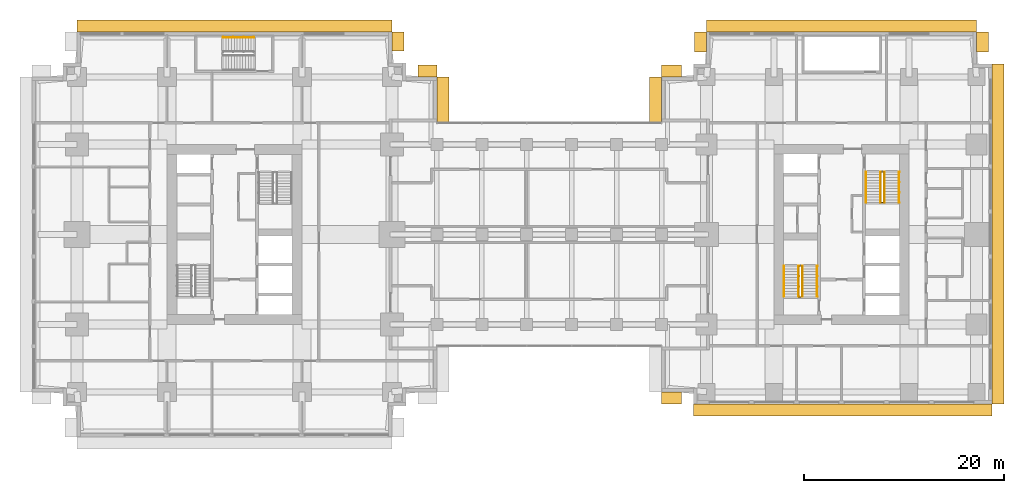
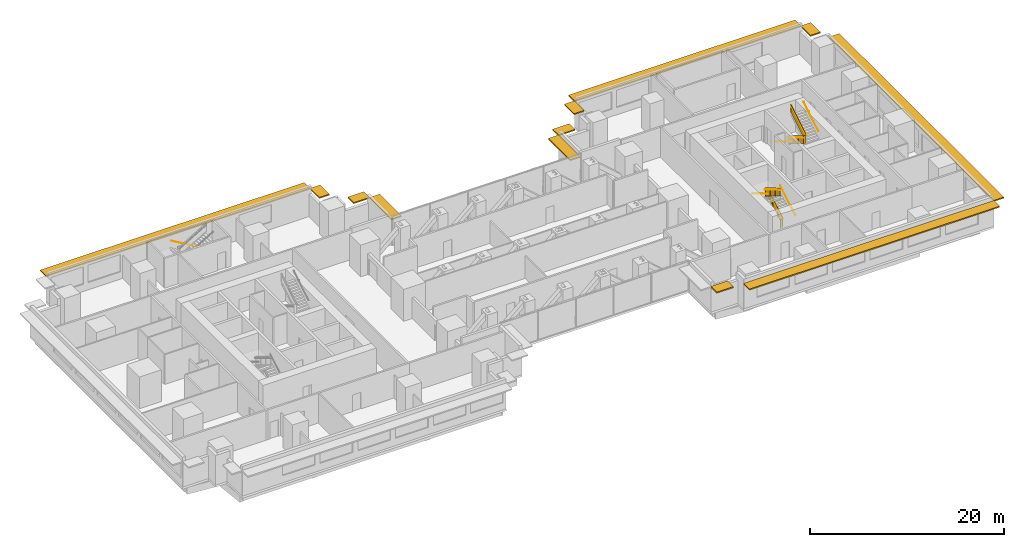
# One storey, part 14 of 14: 12 shading devices, 11 railings.
"""IFC4 building model written with IfcOpenShell, lengths in metres."""

from ifc_helpers import new_model, si_unit, direction, frame, origin, origin_2d, place, context, subcontext, project, spatial, polyline, rectangle, circle, outline, extrude, material, layer, layer_set, type_object, element, save


model = new_model("IFC4")

# Units and contexts
model_context = context("Model", 3, precision=1e-05, world=origin(), true_north=direction((0.0, 1.0)))
body_context = subcontext(model_context, "Body", "Model", "MODEL_VIEW")
ifc_project = project(units=[si_unit("LENGTHUNIT", "METRE"), si_unit("AREAUNIT", "SQUARE_METRE"), si_unit("VOLUMEUNIT", "CUBIC_METRE"), si_unit("PLANEANGLEUNIT", "RADIAN"), si_unit("MASSUNIT", "GRAM", prefix="KILO")], contexts=[model_context])

# Site, building, storey
site_placement = place(None, origin())
site = spatial("IfcSite", under=ifc_project, at=site_placement, CompositionType="ELEMENT")
building_placement = place(site_placement, origin())
building = spatial("IfcBuilding", under=site, at=building_placement, Name="Namib Vertical Campus", CompositionType="ELEMENT")
storey_placement = place(building_placement, frame((0.0, 0.0, 133.0)))
storey = spatial("IfcBuildingStorey", under=building, at=storey_placement, Name="L31", CompositionType="ELEMENT", Elevation=133.0)

# Railings
ifc_material_1 = material(Name="Steel handrail", Category="steel")
railing_type_1 = type_object("IfcRailingType", Name="Handrail 900", PredefinedType="HANDRAIL", material=ifc_material_1)
railing_1_placement = place(storey_placement, frame((78.550048828125, 14.0, 0.166748046875)))
element("IfcRailing", 1, at=railing_1_placement, inside=storey, type_object=railing_type_1, Name="Handrail HR1 B-S1 L31 1", PredefinedType="HANDRAIL", context=body_context, shape_type="SweptSolid", body=[
    extrude(circle(Radius=0.02392578125, at=origin_2d()), frame((0.0, 0.0, 0.8759765625), z_axis=(0.0, 0.859308565015, 0.511457515432), x_axis=(-1.0, 0.0, 0.0)), (0.0, 0.0, 1.0), 3.58447265625),
    extrude(circle(Radius=0.008056640625, at=origin_2d()), frame((0.0, 0.0, 0.8759765625), z_axis=(1.0, 0.0, 0.0), x_axis=(0.0, 0.0, 1.0)), (0.0, 0.0, 1.0), 0.050048828125),
    extrude(circle(Radius=0.008056640625, at=origin_2d()), frame((0.0, 1.026611328125, 1.48681640625), z_axis=(1.0, 0.0, 0.0), x_axis=(0.0, 0.0, 1.0)), (0.0, 0.0, 1.0), 0.050048828125),
    extrude(circle(Radius=0.008056640625, at=origin_2d()), frame((0.0, 2.053466796875, 2.09814453125), z_axis=(1.0, 0.0, 0.0), x_axis=(0.0, 0.0, 1.0)), (0.0, 0.0, 1.0), 0.050048828125),
    extrude(circle(Radius=0.008056640625, at=origin_2d()), frame((0.0, 3.080078125, 2.708984375), z_axis=(1.0, 0.0, 0.0), x_axis=(0.0, 0.0, 1.0)), (0.0, 0.0, 1.0), 0.050048828125),
])
railing_2_placement = place(storey_placement, frame((75.25, 17.080078125, 2.166748046875)))
element("IfcRailing", 2, at=railing_2_placement, inside=storey, type_object=railing_type_1, Name="Handrail HR1 B-S1 L31 2", PredefinedType="HANDRAIL", context=body_context, shape_type="SweptSolid", body=[
    extrude(circle(Radius=0.02392578125, at=origin_2d()), frame((0.0, 0.0, 0.8759765625), z_axis=(0.0, -0.859308565015, 0.511457515432), x_axis=(1.0, 0.0, 0.0)), (0.0, 0.0, 1.0), 3.58447265625),
    extrude(circle(Radius=0.008056640625, at=origin_2d()), frame((0.0, 0.0, 0.8759765625), z_axis=(-1.0, 0.0, 0.0), x_axis=(0.0, 0.0, 1.0)), (0.0, 0.0, 1.0), 0.050048828125),
    extrude(circle(Radius=0.008056640625, at=origin_2d()), frame((0.0, -1.026611328125, 1.48681640625), z_axis=(-1.0, 0.0, 0.0), x_axis=(0.0, 0.0, 1.0)), (0.0, 0.0, 1.0), 0.050048828125),
    extrude(circle(Radius=0.008056640625, at=origin_2d()), frame((0.0, -2.053466796875, 2.09814453125), z_axis=(-1.0, 0.0, 0.0), x_axis=(0.0, 0.0, 1.0)), (0.0, 0.0, 1.0), 0.050048828125),
    extrude(circle(Radius=0.008056640625, at=origin_2d()), frame((0.0, -3.080078125, 2.708984375), z_axis=(-1.0, 0.0, 0.0), x_axis=(0.0, 0.0, 1.0)), (0.0, 0.0, 1.0), 0.050048828125),
])
railing_3_placement = place(storey_placement, frame((77.10009765625, 14.0, 0.166748046875)))
element("IfcRailing", 3, at=railing_3_placement, inside=storey, type_object=railing_type_1, Name="Handrail HR1 B-S1 L31 1 at the well", PredefinedType="HANDRAIL", context=body_context, shape_type="SweptSolid", body=[
    extrude(circle(Radius=0.02392578125, at=origin_2d()), frame((0.0, 0.0, 0.8759765625), z_axis=(0.0, 0.859308565015, 0.511457515432), x_axis=(-1.0, 0.0, 0.0)), (0.0, 0.0, 1.0), 3.58447265625),
    extrude(circle(Radius=0.008056640625, at=origin_2d()), frame((0.0, 0.0, 0.8759765625), z_axis=(-1.0, 0.0, 0.0), x_axis=(0.0, 0.0, 1.0)), (0.0, 0.0, 1.0), 0.0400390625),
    extrude(circle(Radius=0.008056640625, at=origin_2d()), frame((0.0, 1.026611328125, 1.48681640625), z_axis=(-1.0, 0.0, 0.0), x_axis=(0.0, 0.0, 1.0)), (0.0, 0.0, 1.0), 0.0400390625),
    extrude(circle(Radius=0.008056640625, at=origin_2d()), frame((0.0, 2.053466796875, 2.09814453125), z_axis=(-1.0, 0.0, 0.0), x_axis=(0.0, 0.0, 1.0)), (0.0, 0.0, 1.0), 0.0400390625),
    extrude(circle(Radius=0.008056640625, at=origin_2d()), frame((0.0, 3.080078125, 2.708984375), z_axis=(-1.0, 0.0, 0.0), x_axis=(0.0, 0.0, 1.0)), (0.0, 0.0, 1.0), 0.0400390625),
])
railing_4_placement = place(storey_placement, frame((76.699951171875, 17.080078125, 2.166748046875)))
element("IfcRailing", 4, at=railing_4_placement, inside=storey, type_object=railing_type_1, Name="Handrail HR1 B-S1 L31 2 at the well", PredefinedType="HANDRAIL", context=body_context, shape_type="SweptSolid", body=[
    extrude(circle(Radius=0.02392578125, at=origin_2d()), frame((0.0, 0.0, 0.8759765625), z_axis=(0.0, -0.859308565015, 0.511457515432), x_axis=(1.0, 0.0, 0.0)), (0.0, 0.0, 1.0), 3.58447265625),
    extrude(circle(Radius=0.008056640625, at=origin_2d()), frame((0.0, 0.0, 0.8759765625), z_axis=(1.0, 0.0, 0.0), x_axis=(0.0, 0.0, 1.0)), (0.0, 0.0, 1.0), 0.0400390625),
    extrude(circle(Radius=0.008056640625, at=origin_2d()), frame((0.0, -1.026611328125, 1.48681640625), z_axis=(1.0, 0.0, 0.0), x_axis=(0.0, 0.0, 1.0)), (0.0, 0.0, 1.0), 0.0400390625),
    extrude(circle(Radius=0.008056640625, at=origin_2d()), frame((0.0, -2.053466796875, 2.09814453125), z_axis=(1.0, 0.0, 0.0), x_axis=(0.0, 0.0, 1.0)), (0.0, 0.0, 1.0), 0.0400390625),
    extrude(circle(Radius=0.008056640625, at=origin_2d()), frame((0.0, -3.080078125, 2.708984375), z_axis=(1.0, 0.0, 0.0), x_axis=(0.0, 0.0, 1.0)), (0.0, 0.0, 1.0), 0.0400390625),
])
railing_5_placement = place(storey_placement, frame((83.449951171875, 26.5, 0.166748046875)))
element("IfcRailing", 5, at=railing_5_placement, inside=storey, type_object=railing_type_1, Name="Handrail HR1 B-S2 L31 1", PredefinedType="HANDRAIL", context=body_context, shape_type="SweptSolid", body=[
    extrude(circle(Radius=0.02392578125, at=origin_2d()), frame((0.0, 0.0, 0.8759765625), z_axis=(0.0, -0.859308565015, 0.511457515432), x_axis=(1.0, 0.0, 0.0)), (0.0, 0.0, 1.0), 3.58447265625),
    extrude(circle(Radius=0.008056640625, at=origin_2d()), frame((0.0, 0.0, 0.8759765625), z_axis=(-1.0, 0.0, 0.0), x_axis=(0.0, 0.0, 1.0)), (0.0, 0.0, 1.0), 0.050048828125),
    extrude(circle(Radius=0.008056640625, at=origin_2d()), frame((0.0, -1.026611328125, 1.48681640625), z_axis=(-1.0, 0.0, 0.0), x_axis=(0.0, 0.0, 1.0)), (0.0, 0.0, 1.0), 0.050048828125),
    extrude(circle(Radius=0.008056640625, at=origin_2d()), frame((0.0, -2.053466796875, 2.09814453125), z_axis=(-1.0, 0.0, 0.0), x_axis=(0.0, 0.0, 1.0)), (0.0, 0.0, 1.0), 0.050048828125),
    extrude(circle(Radius=0.008056640625, at=origin_2d()), frame((0.0, -3.080078125, 2.708984375), z_axis=(-1.0, 0.0, 0.0), x_axis=(0.0, 0.0, 1.0)), (0.0, 0.0, 1.0), 0.050048828125),
])
railing_6_placement = place(storey_placement, frame((86.75, 23.419921875, 2.166748046875)))
element("IfcRailing", 6, at=railing_6_placement, inside=storey, type_object=railing_type_1, Name="Handrail HR1 B-S2 L31 2", PredefinedType="HANDRAIL", context=body_context, shape_type="SweptSolid", body=[
    extrude(circle(Radius=0.02392578125, at=origin_2d()), frame((0.0, 0.0, 0.8759765625), z_axis=(0.0, 0.859308565015, 0.511457515432), x_axis=(-1.0, 0.0, 0.0)), (0.0, 0.0, 1.0), 3.58447265625),
    extrude(circle(Radius=0.008056640625, at=origin_2d()), frame((0.0, 0.0, 0.8759765625), z_axis=(1.0, 0.0, 0.0), x_axis=(0.0, 0.0, 1.0)), (0.0, 0.0, 1.0), 0.050048828125),
    extrude(circle(Radius=0.008056640625, at=origin_2d()), frame((0.0, 1.026611328125, 1.48681640625), z_axis=(1.0, 0.0, 0.0), x_axis=(0.0, 0.0, 1.0)), (0.0, 0.0, 1.0), 0.050048828125),
    extrude(circle(Radius=0.008056640625, at=origin_2d()), frame((0.0, 2.053466796875, 2.09814453125), z_axis=(1.0, 0.0, 0.0), x_axis=(0.0, 0.0, 1.0)), (0.0, 0.0, 1.0), 0.050048828125),
    extrude(circle(Radius=0.008056640625, at=origin_2d()), frame((0.0, 3.080078125, 2.708984375), z_axis=(1.0, 0.0, 0.0), x_axis=(0.0, 0.0, 1.0)), (0.0, 0.0, 1.0), 0.050048828125),
])
railing_7_placement = place(storey_placement, frame((84.89990234375, 26.5, 0.166748046875)))
element("IfcRailing", 7, at=railing_7_placement, inside=storey, type_object=railing_type_1, Name="Handrail HR1 B-S2 L31 1 at the well", PredefinedType="HANDRAIL", context=body_context, shape_type="SweptSolid", body=[
    extrude(circle(Radius=0.02392578125, at=origin_2d()), frame((0.0, 0.0, 0.8759765625), z_axis=(0.0, -0.859308565015, 0.511457515432), x_axis=(1.0, 0.0, 0.0)), (0.0, 0.0, 1.0), 3.58447265625),
    extrude(circle(Radius=0.008056640625, at=origin_2d()), frame((0.0, 0.0, 0.8759765625), z_axis=(1.0, 0.0, 0.0), x_axis=(0.0, 0.0, 1.0)), (0.0, 0.0, 1.0), 0.0400390625),
    extrude(circle(Radius=0.008056640625, at=origin_2d()), frame((0.0, -1.026611328125, 1.48681640625), z_axis=(1.0, 0.0, 0.0), x_axis=(0.0, 0.0, 1.0)), (0.0, 0.0, 1.0), 0.0400390625),
    extrude(circle(Radius=0.008056640625, at=origin_2d()), frame((0.0, -2.053466796875, 2.09814453125), z_axis=(1.0, 0.0, 0.0), x_axis=(0.0, 0.0, 1.0)), (0.0, 0.0, 1.0), 0.0400390625),
    extrude(circle(Radius=0.008056640625, at=origin_2d()), frame((0.0, -3.080078125, 2.708984375), z_axis=(1.0, 0.0, 0.0), x_axis=(0.0, 0.0, 1.0)), (0.0, 0.0, 1.0), 0.0400390625),
])
railing_8_placement = place(storey_placement, frame((85.300048828125, 23.419921875, 2.166748046875)))
element("IfcRailing", 8, at=railing_8_placement, inside=storey, type_object=railing_type_1, Name="Handrail HR1 B-S2 L31 2 at the well", PredefinedType="HANDRAIL", context=body_context, shape_type="SweptSolid", body=[
    extrude(circle(Radius=0.02392578125, at=origin_2d()), frame((0.0, 0.0, 0.8759765625), z_axis=(0.0, 0.859308565015, 0.511457515432), x_axis=(-1.0, 0.0, 0.0)), (0.0, 0.0, 1.0), 3.58447265625),
    extrude(circle(Radius=0.008056640625, at=origin_2d()), frame((0.0, 0.0, 0.8759765625), z_axis=(-1.0, 0.0, 0.0), x_axis=(0.0, 0.0, 1.0)), (0.0, 0.0, 1.0), 0.0400390625),
    extrude(circle(Radius=0.008056640625, at=origin_2d()), frame((0.0, 1.026611328125, 1.48681640625), z_axis=(-1.0, 0.0, 0.0), x_axis=(0.0, 0.0, 1.0)), (0.0, 0.0, 1.0), 0.0400390625),
    extrude(circle(Radius=0.008056640625, at=origin_2d()), frame((0.0, 2.053466796875, 2.09814453125), z_axis=(-1.0, 0.0, 0.0), x_axis=(0.0, 0.0, 1.0)), (0.0, 0.0, 1.0), 0.0400390625),
    extrude(circle(Radius=0.008056640625, at=origin_2d()), frame((0.0, 3.080078125, 2.708984375), z_axis=(-1.0, 0.0, 0.0), x_axis=(0.0, 0.0, 1.0)), (0.0, 0.0, 1.0), 0.0400390625),
])
railing_9_placement = place(storey_placement, frame((22.199951171875, 39.949951171875, 0.166748046875)))
element("IfcRailing", 9, at=railing_9_placement, inside=storey, type_object=railing_type_1, Name="Handrail HR1 A-S3 L31 1", PredefinedType="HANDRAIL", context=body_context, shape_type="SweptSolid", body=[
    extrude(circle(Radius=0.02392578125, at=origin_2d()), frame((0.0, 0.0, 0.8759765625), z_axis=(-0.859290745958, 0.0, 0.51148745235), x_axis=(0.0, -1.0, 0.0)), (0.0, 0.0, 1.0), 3.584228515625),
    extrude(circle(Radius=0.008056640625, at=origin_2d()), frame((0.0, 0.0, 0.8759765625), z_axis=(0.0, 1.0, 0.0), x_axis=(0.0, 0.0, 1.0)), (0.0, 0.0, 1.0), 0.050048828125),
    extrude(circle(Radius=0.008056640625, at=origin_2d()), frame((-1.026611328125, 0.0, 1.48681640625), z_axis=(0.0, 1.0, 0.0), x_axis=(0.0, 0.0, 1.0)), (0.0, 0.0, 1.0), 0.050048828125),
    extrude(circle(Radius=0.008056640625, at=origin_2d()), frame((-2.05322265625, 0.0, 2.09814453125), z_axis=(0.0, 1.0, 0.0), x_axis=(0.0, 0.0, 1.0)), (0.0, 0.0, 1.0), 0.050048828125),
    extrude(circle(Radius=0.008056640625, at=origin_2d()), frame((-3.079833984375, 0.0, 2.708984375), z_axis=(0.0, 1.0, 0.0), x_axis=(0.0, 0.0, 1.0)), (0.0, 0.0, 1.0), 0.050048828125),
])
ifc_material_2 = material(Name="Steel balustrade", Category="steel")
railing_type_2 = type_object("IfcRailingType", Name="Stair guard 1100", PredefinedType="GUARDRAIL", material=ifc_material_2)
railing_10_placement = place(storey_placement, frame((76.75, 14.0, 0.0)))
element("IfcRailing", 10, at=railing_10_placement, inside=storey, type_object=railing_type_2, Name="Stair guard GR1 B-S1 L31", PredefinedType="GUARDRAIL", context=body_context, shape_type="SweptSolid", body=[
    extrude(circle(Radius=0.02392578125, at=origin_2d()), frame((0.0, 0.0, 1.076171875), z_axis=(1.0, 0.0, 0.0), x_axis=(0.0, 1.0, 0.0)), (0.0, 0.0, 1.0), 0.300048828125),
    extrude(outline(polyline([(0.02099609375, 0.050048828125), (0.279052734375, 0.050048828125), (0.279052734375, 1.052001953125), (0.02099609375, 1.052001953125), (0.02099609375, 0.050048828125)])), frame((0.0, 0.010009765625, 0.0), z_axis=(0.0, -1.0, 0.0), x_axis=(1.0, 0.0, 0.0)), (0.0, 0.0, 1.0), 0.02001953125),
    extrude(circle(Radius=0.02392578125, at=origin_2d()), frame((0.300048828125, 0.0, 1.076171875), z_axis=(0.0, 0.0, 1.0), x_axis=(1.0, 0.0, 0.0)), (0.0, 0.0, 1.0), 0.166748046875),
    extrude(circle(Radius=0.02392578125, at=origin_2d()), frame((0.300048828125, 0.0, 1.24267578125), z_axis=(0.0, 0.859308565015, 0.511457515432), x_axis=(-1.0, 0.0, 0.0)), (0.0, 0.0, 1.0), 3.58447265625),
    extrude(outline(polyline([(0.02099609375, 0.0625), (3.05908203125, 1.870849609375), (3.05908203125, 2.872802734375), (0.02099609375, 1.064453125), (0.02099609375, 0.0625)])), frame((0.2900390625, 0.0, 0.166748046875), z_axis=(1.0, 0.0, 0.0), x_axis=(0.0, 1.0, 0.0)), (0.0, 0.0, 1.0), 0.02001953125),
    extrude(circle(Radius=0.02392578125, at=origin_2d()), frame((0.300048828125, 3.080078125, 3.076171875), z_axis=(-1.0, 0.0, 0.0), x_axis=(0.0, -1.0, 0.0)), (0.0, 0.0, 1.0), 0.300048828125),
    extrude(outline(polyline([(0.02099609375, 0.050048828125), (0.279052734375, 0.050048828125), (0.279052734375, 1.052001953125), (0.02099609375, 1.052001953125), (0.02099609375, 0.050048828125)])), frame((0.300048828125, 3.070068359375, 2.0), z_axis=(0.0, 1.0, 0.0), x_axis=(-1.0, 0.0, 0.0)), (0.0, 0.0, 1.0), 0.02001953125),
    extrude(circle(Radius=0.02392578125, at=origin_2d()), frame((0.0, 3.080078125, 3.076171875), z_axis=(0.0, 0.0, 1.0), x_axis=(1.0, 0.0, 0.0)), (0.0, 0.0, 1.0), 0.166748046875),
    extrude(circle(Radius=0.02392578125, at=origin_2d()), frame((0.0, 3.080078125, 3.24267578125), z_axis=(0.0, -0.859308565015, 0.511457515432), x_axis=(1.0, 0.0, 0.0)), (0.0, 0.0, 1.0), 3.58447265625),
    extrude(outline(polyline([(0.02099609375, 0.0625), (3.05908203125, 1.870849609375), (3.05908203125, 2.872802734375), (0.02099609375, 1.064453125), (0.02099609375, 0.0625)])), frame((0.010009765625, 3.080078125, 2.166748046875), z_axis=(-1.0, 0.0, 0.0), x_axis=(0.0, -1.0, 0.0)), (0.0, 0.0, 1.0), 0.02001953125),
    extrude(circle(Radius=0.02392578125, at=origin_2d()), frame((0.0, 0.0, 5.076171875), z_axis=(0.0, -1.0, 0.0), x_axis=(1.0, 0.0, 0.0)), (0.0, 0.0, 1.0), 0.050048828125),
    extrude(outline(polyline([(0.02099609375, 0.050048828125), (0.029052734375, 0.050048828125), (0.029052734375, 1.052001953125), (0.02099609375, 1.052001953125), (0.02099609375, 0.050048828125)])), frame((0.010009765625, 0.0, 4.0), z_axis=(-1.0, 0.0, 0.0), x_axis=(0.0, -1.0, 0.0)), (0.0, 0.0, 1.0), 0.02001953125),
    extrude(circle(Radius=0.02099609375, at=origin_2d()), origin(), (0.0, 0.0, 1.0), 1.052001953125),
    extrude(circle(Radius=0.02099609375, at=origin_2d()), frame((0.300048828125, 0.0, 0.166748046875)), (0.0, 0.0, 1.0), 1.052001953125),
    extrude(circle(Radius=0.02099609375, at=origin_2d()), frame((0.300048828125, 1.026611328125, 0.666748046875)), (0.0, 0.0, 1.0), 1.1630859375),
    extrude(circle(Radius=0.02099609375, at=origin_2d()), frame((0.300048828125, 2.053466796875, 1.33349609375)), (0.0, 0.0, 1.0), 1.107421875),
    extrude(circle(Radius=0.02099609375, at=origin_2d()), frame((0.300048828125, 3.080078125, 2.0)), (0.0, 0.0, 1.0), 1.052001953125),
    extrude(circle(Radius=0.02099609375, at=origin_2d()), frame((0.0, 3.080078125, 2.166748046875)), (0.0, 0.0, 1.0), 1.052001953125),
    extrude(circle(Radius=0.02099609375, at=origin_2d()), frame((0.0, 2.053466796875, 2.666748046875)), (0.0, 0.0, 1.0), 1.1630859375),
    extrude(circle(Radius=0.02099609375, at=origin_2d()), frame((0.0, 1.026611328125, 3.33349609375)), (0.0, 0.0, 1.0), 1.107421875),
    extrude(circle(Radius=0.02099609375, at=origin_2d()), frame((0.0, 0.0, 4.0)), (0.0, 0.0, 1.0), 1.052001953125),
    extrude(circle(Radius=0.02099609375, at=origin_2d()), frame((0.0, -0.050048828125, 4.0)), (0.0, 0.0, 1.0), 1.052001953125),
])
railing_11_placement = place(storey_placement, frame((85.25, 26.5, 0.0)))
element("IfcRailing", 11, at=railing_11_placement, inside=storey, type_object=railing_type_2, Name="Stair guard GR1 B-S2 L31", PredefinedType="GUARDRAIL", context=body_context, shape_type="SweptSolid", body=[
    extrude(circle(Radius=0.02392578125, at=origin_2d()), frame((0.0, 0.0, 1.076171875), z_axis=(-1.0, 0.0, 0.0), x_axis=(0.0, -1.0, 0.0)), (0.0, 0.0, 1.0), 0.300048828125),
    extrude(outline(polyline([(0.02099609375, 0.050048828125), (0.279052734375, 0.050048828125), (0.279052734375, 1.052001953125), (0.02099609375, 1.052001953125), (0.02099609375, 0.050048828125)])), frame((0.0, -0.010009765625, 0.0), z_axis=(0.0, 1.0, 0.0), x_axis=(-1.0, 0.0, 0.0)), (0.0, 0.0, 1.0), 0.02001953125),
    extrude(circle(Radius=0.02392578125, at=origin_2d()), frame((-0.300048828125, 0.0, 1.076171875), z_axis=(0.0, 0.0, 1.0), x_axis=(1.0, 0.0, 0.0)), (0.0, 0.0, 1.0), 0.166748046875),
    extrude(circle(Radius=0.02392578125, at=origin_2d()), frame((-0.300048828125, 0.0, 1.24267578125), z_axis=(0.0, -0.859308565015, 0.511457515432), x_axis=(1.0, 0.0, 0.0)), (0.0, 0.0, 1.0), 3.58447265625),
    extrude(outline(polyline([(0.02099609375, 0.0625), (3.05908203125, 1.870849609375), (3.05908203125, 2.872802734375), (0.02099609375, 1.064453125), (0.02099609375, 0.0625)])), frame((-0.2900390625, 0.0, 0.166748046875), z_axis=(-1.0, 0.0, 0.0), x_axis=(0.0, -1.0, 0.0)), (0.0, 0.0, 1.0), 0.02001953125),
    extrude(circle(Radius=0.02392578125, at=origin_2d()), frame((-0.300048828125, -3.080078125, 3.076171875), z_axis=(1.0, 0.0, 0.0), x_axis=(0.0, 1.0, 0.0)), (0.0, 0.0, 1.0), 0.300048828125),
    extrude(outline(polyline([(0.02099609375, 0.050048828125), (0.279052734375, 0.050048828125), (0.279052734375, 1.052001953125), (0.02099609375, 1.052001953125), (0.02099609375, 0.050048828125)])), frame((-0.300048828125, -3.070068359375, 2.0), z_axis=(0.0, -1.0, 0.0), x_axis=(1.0, 0.0, 0.0)), (0.0, 0.0, 1.0), 0.02001953125),
    extrude(circle(Radius=0.02392578125, at=origin_2d()), frame((0.0, -3.080078125, 3.076171875), z_axis=(0.0, 0.0, 1.0), x_axis=(1.0, 0.0, 0.0)), (0.0, 0.0, 1.0), 0.166748046875),
    extrude(circle(Radius=0.02392578125, at=origin_2d()), frame((0.0, -3.080078125, 3.24267578125), z_axis=(0.0, 0.859308565015, 0.511457515432), x_axis=(-1.0, 0.0, 0.0)), (0.0, 0.0, 1.0), 3.58447265625),
    extrude(outline(polyline([(0.02099609375, 0.0625), (3.05908203125, 1.870849609375), (3.05908203125, 2.872802734375), (0.02099609375, 1.064453125), (0.02099609375, 0.0625)])), frame((-0.010009765625, -3.080078125, 2.166748046875), z_axis=(1.0, 0.0, 0.0), x_axis=(0.0, 1.0, 0.0)), (0.0, 0.0, 1.0), 0.02001953125),
    extrude(circle(Radius=0.02392578125, at=origin_2d()), frame((0.0, 0.0, 5.076171875), z_axis=(0.0, 1.0, 0.0), x_axis=(-1.0, 0.0, 0.0)), (0.0, 0.0, 1.0), 0.050048828125),
    extrude(outline(polyline([(0.02099609375, 0.050048828125), (0.029052734375, 0.050048828125), (0.029052734375, 1.052001953125), (0.02099609375, 1.052001953125), (0.02099609375, 0.050048828125)])), frame((-0.010009765625, 0.0, 4.0), z_axis=(1.0, 0.0, 0.0), x_axis=(0.0, 1.0, 0.0)), (0.0, 0.0, 1.0), 0.02001953125),
    extrude(circle(Radius=0.02099609375, at=origin_2d()), origin(), (0.0, 0.0, 1.0), 1.052001953125),
    extrude(circle(Radius=0.02099609375, at=origin_2d()), frame((-0.300048828125, 0.0, 0.166748046875)), (0.0, 0.0, 1.0), 1.052001953125),
    extrude(circle(Radius=0.02099609375, at=origin_2d()), frame((-0.300048828125, -1.026611328125, 0.666748046875)), (0.0, 0.0, 1.0), 1.1630859375),
    extrude(circle(Radius=0.02099609375, at=origin_2d()), frame((-0.300048828125, -2.053466796875, 1.33349609375)), (0.0, 0.0, 1.0), 1.107421875),
    extrude(circle(Radius=0.02099609375, at=origin_2d()), frame((-0.300048828125, -3.080078125, 2.0)), (0.0, 0.0, 1.0), 1.052001953125),
    extrude(circle(Radius=0.02099609375, at=origin_2d()), frame((0.0, -3.080078125, 2.166748046875)), (0.0, 0.0, 1.0), 1.052001953125),
    extrude(circle(Radius=0.02099609375, at=origin_2d()), frame((0.0, -2.053466796875, 2.666748046875)), (0.0, 0.0, 1.0), 1.1630859375),
    extrude(circle(Radius=0.02099609375, at=origin_2d()), frame((0.0, -1.026611328125, 3.33349609375)), (0.0, 0.0, 1.0), 1.107421875),
    extrude(circle(Radius=0.02099609375, at=origin_2d()), frame((0.0, 0.0, 4.0)), (0.0, 0.0, 1.0), 1.052001953125),
    extrude(circle(Radius=0.02099609375, at=origin_2d()), frame((0.0, 0.050048828125, 4.0)), (0.0, 0.0, 1.0), 1.052001953125),
])

# Shading devices
ifc_material_3 = material(Name="Concrete C40/50 precast", Category="concrete")
ifc_layer = layer(ifc_material_3, 0.14990234375)
ifc_layer_set = layer_set([ifc_layer], Name="Concrete C40/50 precast")
shading_device_type = type_object("IfcShadingDeviceType", Name="Sunshade hood 1200", PredefinedType="SHUTTER", material=ifc_layer_set)
shading_device_1_placement = place(storey_placement, frame((41.10009765625, 33.75, 3.10009765625), z_axis=(0.0, 0.0, 1.0), x_axis=(0.0, 1.0, 0.0)))
element("IfcShadingDevice", 12, at=shading_device_1_placement, inside=storey, type_object=shading_device_type, Name="Sunshade SH2 L31 11", PredefinedType="SHUTTER", context=body_context, shape_type="SweptSolid", body=[
    extrude(rectangle(XDim=4.5, YDim=1.199951171875, at=origin_2d()), origin(), (0.0, 0.0, 1.0), 0.14990234375),
])
for number, where, z_axis, x_axis, name in (
    (13, (39.550048828125, 36.60009765625, 3.10009765625), (0.0, 0.0, 1.0), (-1.0, 0.0, 0.0), "Sunshade SH2 L31 12"),
    (14, (36.60009765625, 39.550048828125, 3.10009765625), (0.0, 0.0, 1.0), (0.0, 1.0, 0.0), "Sunshade SH2 L31 15"),
):
    element("IfcShadingDevice", number, at=place(storey_placement, frame(where, z_axis=z_axis, x_axis=x_axis)), inside=storey, type_object=shading_device_type, Name=name, PredefinedType="SHUTTER", context=body_context, shape_type="SweptSolid", body=[
        extrude(rectangle(XDim=1.89990234375, YDim=1.199951171875, at=origin_2d()), origin(), (0.0, 0.0, 1.0), 0.14990234375),
    ])
shading_device_2_placement = place(storey_placement, frame((20.25, 41.10009765625, 3.10009765625), z_axis=(0.0, 0.0, 1.0), x_axis=(-1.0, 0.0, 0.0)))
element("IfcShadingDevice", 15, at=shading_device_2_placement, inside=storey, type_object=shading_device_type, Name="Sunshade SH2 L31 16", PredefinedType="SHUTTER", context=body_context, shape_type="SweptSolid", body=[
    extrude(rectangle(XDim=31.5, YDim=1.199951171875, at=origin_2d()), origin(), (0.0, 0.0, 1.0), 0.14990234375),
])
shading_device_3_placement = place(storey_placement, frame((64.0, 3.89990234375, 3.10009765625), z_axis=(0.0, 0.0, 1.0), x_axis=(1.0, 0.0, 0.0)))
element("IfcShadingDevice", 16, at=shading_device_3_placement, inside=storey, type_object=shading_device_type, Name="Sunshade SH2 L31 2", PredefinedType="SHUTTER", context=body_context, shape_type="SweptSolid", body=[
    extrude(rectangle(XDim=2.0, YDim=1.199951171875, at=origin_2d()), origin(), (0.0, 0.0, 1.0), 0.14990234375),
])
shading_device_4_placement = place(storey_placement, frame((81.125, 2.699951171875, 3.10009765625), z_axis=(0.0, 0.0, 1.0), x_axis=(1.0, 0.0, 0.0)))
element("IfcShadingDevice", 17, at=shading_device_4_placement, inside=storey, type_object=shading_device_type, Name="Sunshade SH2 L31 4", PredefinedType="SHUTTER", context=body_context, shape_type="SweptSolid", body=[
    extrude(rectangle(XDim=29.85009765625, YDim=1.199951171875, at=origin_2d()), origin(), (0.0, 0.0, 1.0), 0.14990234375),
])
shading_device_5_placement = place(storey_placement, frame((96.64990234375, 20.300048828125, 3.10009765625), z_axis=(0.0, 0.0, 1.0), x_axis=(0.0, 1.0, 0.0)))
element("IfcShadingDevice", 18, at=shading_device_5_placement, inside=storey, type_object=shading_device_type, Name="Sunshade SH2 L31 5", PredefinedType="SHUTTER", context=body_context, shape_type="SweptSolid", body=[
    extrude(rectangle(XDim=34.0, YDim=1.199951171875, at=origin_2d()), origin(), (0.0, 0.0, 1.0), 0.14990234375),
])
shading_device_6_placement = place(storey_placement, frame((95.10009765625, 39.5, 3.10009765625), z_axis=(0.0, 0.0, 1.0), x_axis=(0.0, 1.0, 0.0)))
element("IfcShadingDevice", 19, at=shading_device_6_placement, inside=storey, type_object=shading_device_type, Name="Sunshade SH2 L31 7", PredefinedType="SHUTTER", context=body_context, shape_type="SweptSolid", body=[
    extrude(rectangle(XDim=2.0, YDim=1.199951171875, at=origin_2d()), origin(), (0.0, 0.0, 1.0), 0.14990234375),
])
shading_device_7_placement = place(storey_placement, frame((81.0, 41.10009765625, 3.10009765625), z_axis=(0.0, 0.0, 1.0), x_axis=(-1.0, 0.0, 0.0)))
element("IfcShadingDevice", 20, at=shading_device_7_placement, inside=storey, type_object=shading_device_type, Name="Sunshade SH2 L31 8", PredefinedType="SHUTTER", context=body_context, shape_type="SweptSolid", body=[
    extrude(rectangle(XDim=27.0, YDim=1.199951171875, at=origin_2d()), origin(), (0.0, 0.0, 1.0), 0.14990234375),
])
for number, where, z_axis, x_axis, name in (
    (21, (66.89990234375, 39.5, 3.10009765625), (0.0, 0.0, 1.0), (0.0, -1.0, 0.0), "Sunshade SH2 L31 9"),
    (22, (64.0, 36.60009765625, 3.10009765625), (0.0, 0.0, 1.0), (-1.0, 0.0, 0.0), "Sunshade SH2 L31 12"),
):
    element("IfcShadingDevice", number, at=place(storey_placement, frame(where, z_axis=z_axis, x_axis=x_axis)), inside=storey, type_object=shading_device_type, Name=name, PredefinedType="SHUTTER", context=body_context, shape_type="SweptSolid", body=[
        extrude(rectangle(XDim=2.0, YDim=1.199951171875, at=origin_2d()), origin(), (0.0, 0.0, 1.0), 0.14990234375),
    ])
shading_device_8_placement = place(storey_placement, frame((62.39990234375, 33.75, 3.10009765625), z_axis=(0.0, 0.0, 1.0), x_axis=(0.0, -1.0, 0.0)))
element("IfcShadingDevice", 23, at=shading_device_8_placement, inside=storey, type_object=shading_device_type, Name="Sunshade SH2 L31 13", PredefinedType="SHUTTER", context=body_context, shape_type="SweptSolid", body=[
    extrude(rectangle(XDim=4.5, YDim=1.199951171875, at=origin_2d()), origin(), (0.0, 0.0, 1.0), 0.14990234375),
])

save(model, "model.ifc")
